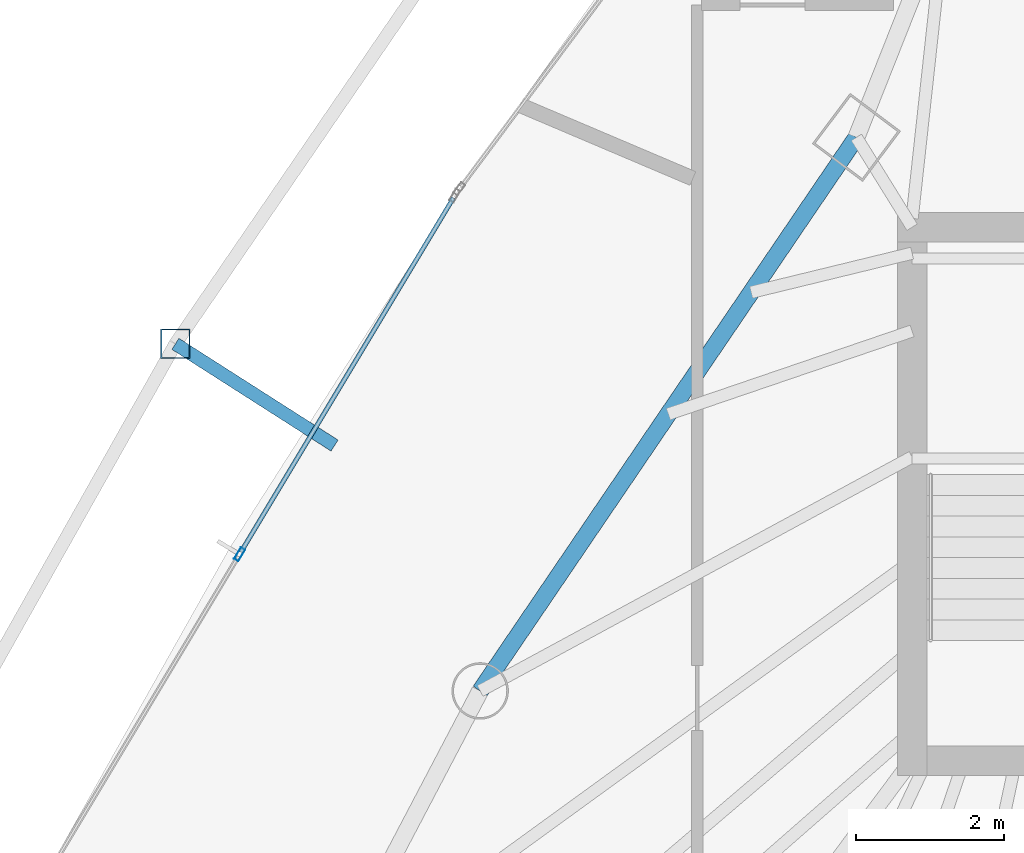
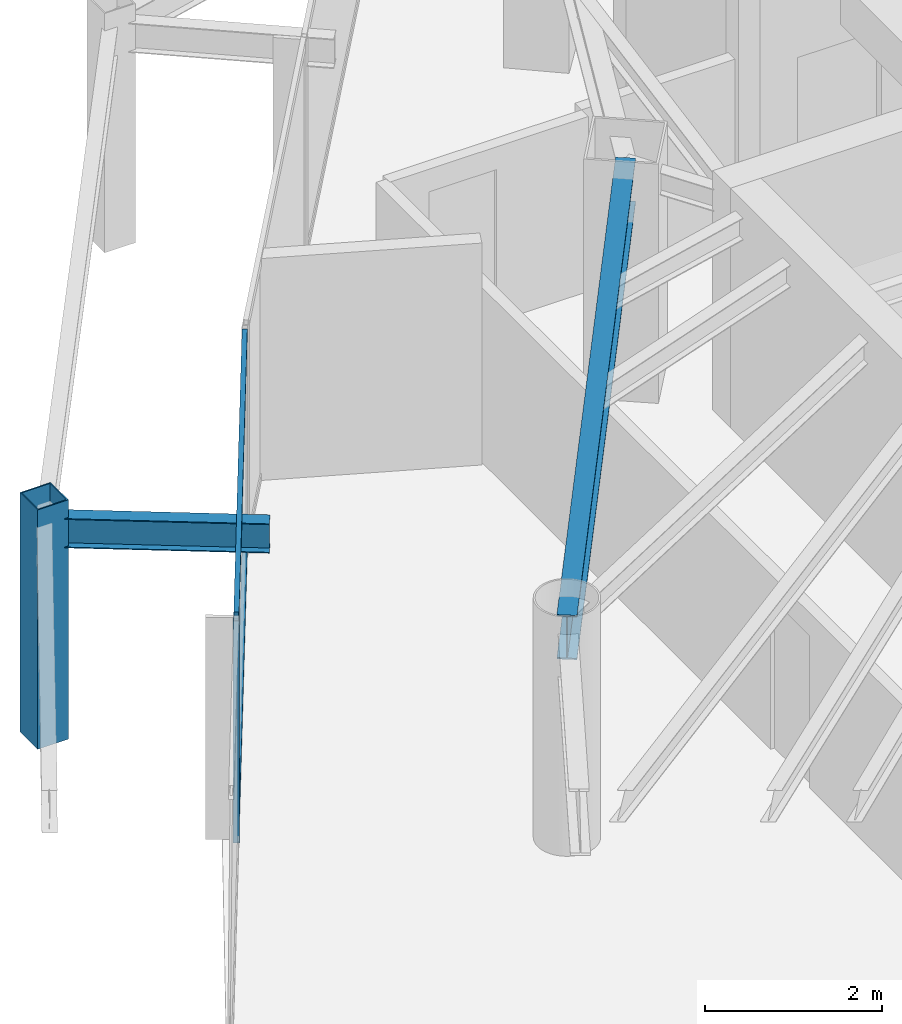
# One storey, part 11 of 31: 4 members, 2 beams, 1 element without a shape of its own.
"""IFC4 building model written with IfcOpenShell, lengths in metres."""

from ifc_helpers import new_model, si_unit, direction, frame, origin, origin_2d, place, context, subcontext, project, spatial, hollow_rectangle, i_section, extrude, material, layer, layer_set, material_profile, profile_set, type_object, element, aggregate, save


model = new_model("IFC4")

# Units and contexts
model_context = context("Model", 3, precision=1e-05, world=origin(), true_north=direction((0.0, 1.0)))
body_context = subcontext(model_context, "Body", "Model", "MODEL_VIEW")
ifc_project = project(units=[si_unit("LENGTHUNIT", "METRE"), si_unit("AREAUNIT", "SQUARE_METRE"), si_unit("VOLUMEUNIT", "CUBIC_METRE"), si_unit("PLANEANGLEUNIT", "RADIAN"), si_unit("MASSUNIT", "GRAM", prefix="KILO")], contexts=[model_context])

# Site, building, storey
site_placement = place(None, origin())
site = spatial("IfcSite", under=ifc_project, at=site_placement, CompositionType="ELEMENT")
building_placement = place(site_placement, origin())
building = spatial("IfcBuilding", under=site, at=building_placement, Name="Orvanel Arch Residences", CompositionType="ELEMENT")
storey_placement = place(building_placement, frame((0.0, 0.0, 129.800048828125)))
storey = spatial("IfcBuildingStorey", under=building, at=storey_placement, Name="L36", CompositionType="ELEMENT", Elevation=129.800048828125)

# Curtain wall, member
ifc_material_1 = material(Name="Bronze-anodised aluminium AA6063-T6", Category="aluminium")
ifc_layer = layer(ifc_material_1, 0.179931640625)
ifc_layer_set = layer_set([ifc_layer], Name="Bronze-anodised aluminium AA6063-T6")
curtain_wall_type = type_object("IfcCurtainWallType", Name="CW3-MID-SYS", PredefinedType="NOTDEFINED", material=ifc_layer_set)
curtain_wall_placement = place(storey_placement, origin())
curtain_wall = element("IfcCurtainWall", 1, at=curtain_wall_placement, inside=storey, type_object=curtain_wall_type, Name="L36 CW3-MID-SYS Unitised Curtain Wall", PredefinedType="NOTDEFINED")
ifc_material_profile_1 = material_profile(ifc_material_1, hollow_rectangle(XDim=0.070068359375, YDim=0.179931640625, WallThickness=0.00439453125, at=origin_2d()), Name="ALU180x70x4.5")
ifc_profile_set_1 = profile_set([ifc_material_profile_1], Name="Bronze-anodised aluminium AA6063-T6")
member_type_1 = type_object("IfcMemberType", Name="MUL-180x70", PredefinedType="MULLION", material=ifc_profile_set_1)
member_1_placement = place(storey_placement, frame((17.322509765625, 29.486083984375, 0.0), z_axis=(0.0, 0.0, 1.0), x_axis=(0.857531765451, -0.514431016991, 0.0)))
member_1 = element("IfcMember", 2, at=member_1_placement, type_object=member_type_1, Name="CW-S3 mullion 2", PredefinedType="MULLION", context=body_context, shape_type="SweptSolid", body=[
    extrude(hollow_rectangle(XDim=0.070068359375, YDim=0.179931640625, WallThickness=0.00439453125, at=origin_2d()), origin(), (0.0, 0.0, 1.0), 3.06005859375),
])

# Beams
ifc_material_2 = material(Name="Structural steel AS/NZS 3679.1 Grade 300 (300 MPa)", Category="steel")
ifc_material_profile_2 = material_profile(ifc_material_2, i_section(OverallWidth=0.177978515625, OverallDepth=0.406005859375, WebThickness=0.0078125, FlangeThickness=0.0126953125, at=origin_2d()), Name="410UB59.7")
ifc_profile_set_2 = profile_set([ifc_material_profile_2], Name="Structural steel AS/NZS 3679.1 Grade 300 (300 MPa)")
beam_type_1 = type_object("IfcBeamType", Name="OB-410UB-EXT", PredefinedType="SPANDREL", material=ifc_profile_set_2)
beam_1_placement = place(storey_placement, frame((18.60400390625, 30.952880859375, 2.85693359375), z_axis=(-0.842674541319, 0.538423269754, 0.0), x_axis=(-0.538423269754, -0.842674541319, 0.0)))
element("IfcBeam", 3, at=beam_1_placement, inside=storey, type_object=beam_type_1, Name="L36 Outer Frame Radial Tie Beam 02", PredefinedType="SPANDREL", context=body_context, shape_type="SweptSolid", body=[
    extrude(i_section(OverallWidth=0.177978515625, OverallDepth=0.406005859375, WebThickness=0.0078125, FlangeThickness=0.0126953125, at=origin_2d()), origin(), (0.0, 0.0, 1.0), 2.550048828125),
])
ifc_material_profile_3 = material_profile(ifc_material_2, i_section(OverallWidth=0.22900390625, OverallDepth=0.612060546875, WebThickness=0.011962890625, FlangeThickness=0.01953125, at=origin_2d()), Name="610UB125")
ifc_profile_set_3 = profile_set([ifc_material_profile_3], Name="Structural steel AS/NZS 3679.1 Grade 300 (300 MPa)")
beam_type_2 = type_object("IfcBeamType", Name="SP-610UB", PredefinedType="SPANDREL", material=ifc_profile_set_3)
beam_2_placement = place(storey_placement, frame((25.64794921875, 35.113037109375, 2.75390625), z_axis=(-0.562154793153, -0.827032035978, 0.0), x_axis=(0.827032035978, -0.562154793153, 0.0)))
element("IfcBeam", 4, at=beam_2_placement, inside=storey, type_object=beam_type_2, Name="L36 Perimeter Spandrel Beam 17", PredefinedType="SPANDREL", context=body_context, shape_type="SweptSolid", body=[
    extrude(i_section(OverallWidth=0.22900390625, OverallDepth=0.612060546875, WebThickness=0.011962890625, FlangeThickness=0.01953125, at=origin_2d()), origin(), (0.0, 0.0, 1.0), 9.03466796875),
])

# Member
ifc_material_3 = material(Name="Structural steel AS/NZS 1163 C450L0 (Grade 450)", Category="steel")
ifc_material_profile_4 = material_profile(ifc_material_3, hollow_rectangle(XDim=0.39990234375, YDim=0.39990234375, WallThickness=0.01611328125, at=origin_2d()), Name="SHS400x400x16")
ifc_profile_set_4 = profile_set([ifc_material_profile_4], Name="Structural steel AS/NZS 1163 C450L0 (Grade 450)")
member_type_2 = type_object("IfcMemberType", Name="ST-400SHS-EXT", PredefinedType="STRUT", material=ifc_profile_set_4)
member_2_placement = place(storey_placement, frame((16.455078125, 32.325927734375, 0.0), z_axis=(0.0, 0.0, 1.0), x_axis=(1.0, 0.0, 0.0)))
element("IfcMember", 5, at=member_2_placement, inside=storey, type_object=member_type_2, Name="L36 Outer Perimeter Frame Post 02", PredefinedType="STRUT", context=body_context, shape_type="SweptSolid", body=[
    extrude(hollow_rectangle(XDim=0.39990234375, YDim=0.39990234375, WallThickness=0.01611328125, at=origin_2d()), origin(), (0.0, 0.0, 1.0), 3.300048828125),
])

ifc_material_profile_5 = material_profile(ifc_material_1, hollow_rectangle(XDim=0.06005859375, YDim=0.135009765625, WallThickness=0.00390625, at=origin_2d()), Name="ALU135x60x4")
ifc_profile_set_5 = profile_set([ifc_material_profile_5], Name="Bronze-anodised aluminium AA6063-T6")
member_type_3 = type_object("IfcMemberType", Name="TRN-135x60", PredefinedType="USERDEFINED", material=ifc_profile_set_5)
member_3_placement = place(storey_placement, frame((20.2080078125, 34.2958984375, 0.030029296875), z_axis=(-0.514437782899, -0.857527706565, 0.0), x_axis=(0.857527706565, -0.514437782899, 0.0)))
member_3 = element("IfcMember", 6, at=member_3_placement, type_object=member_type_3, Name="CW-S3 transom 1.1", ObjectType="TRANSOM", PredefinedType="USERDEFINED", context=body_context, shape_type="SweptSolid", body=[
    extrude(hollow_rectangle(XDim=0.06005859375, YDim=0.135009765625, WallThickness=0.00390625, at=origin_2d()), origin(), (0.0, 0.0, 1.0), 5.573974609375),
])

member_4_placement = place(storey_placement, frame((20.2080078125, 34.2958984375, 3.030029296875), z_axis=(-0.514437782899, -0.857527706565, 0.0), x_axis=(0.857527706565, -0.514437782899, 0.0)))
member_4 = element("IfcMember", 7, at=member_4_placement, type_object=member_type_3, Name="CW-S3 transom 1.2", ObjectType="TRANSOM", PredefinedType="USERDEFINED", context=body_context, shape_type="SweptSolid", body=[
    extrude(hollow_rectangle(XDim=0.06005859375, YDim=0.135009765625, WallThickness=0.00390625, at=origin_2d()), origin(), (0.0, 0.0, 1.0), 5.573974609375),
])

aggregate(curtain_wall, [member_1, member_3, member_4])

save(model, "model.ifc")
